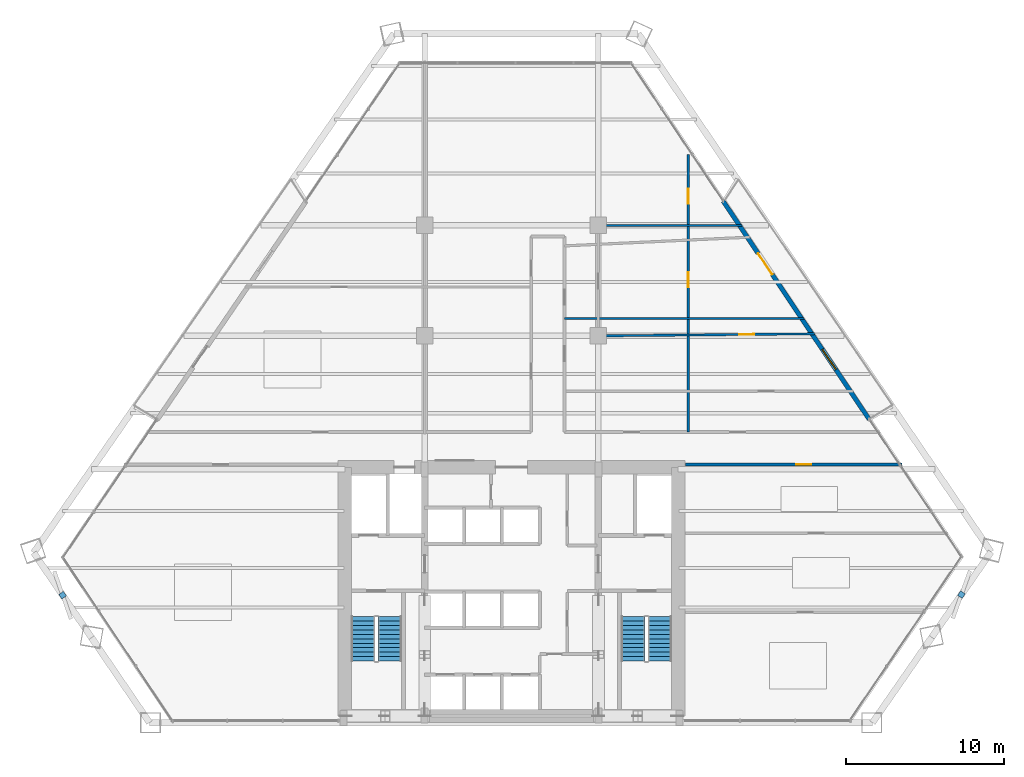
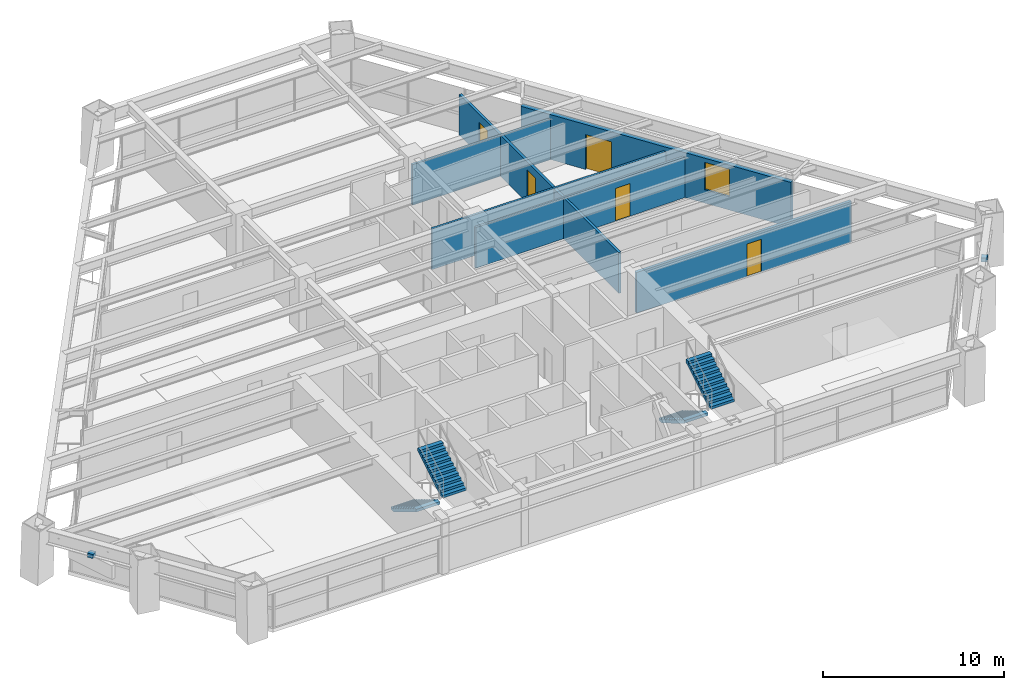
# One storey, part 12 of 14: 6 walls, 5 doors, 4 stair flights, 2 discrete accessories, 1 window, 6 openings, 2 elements without a shape of their own.
"""IFC4 building model written with IfcOpenShell, lengths in metres."""

import ifcopenshell
import ifcopenshell.guid

model = None  # the IFC model being written
_history = None  # IfcOwnerHistory: only IFC2X3 demands one
_inside = {}  # id of a spatial element -> (the spatial element, [elements in it])
_under = {}  # id of a project, library or spatial element -> (it, [spatial elements below it])
_declared = {}  # id of a project -> (the project, [libraries it declares])
_typed = {}  # id of a type object -> (the type object, [elements of that type])
_made_of = {}  # id of a material, layer set ... -> (it, [elements and type objects made of it])


def new_model(schema):
    """Start an empty IFC model of exactly this schema.

    Asked for "IFC4X3", IfcOpenShell would pick the latest addendum, in which some entities
    have other attributes; the version numbers below select the first issue.
    IFC2X3 requires an IfcOwnerHistory on every rooted entity: one is made here for all.
    """
    global model, _history
    if schema == "IFC4X3":
        model = ifcopenshell.file(schema_version=(4, 3, 0, 0))
    else:
        model = ifcopenshell.file(schema=schema)
    _inside.clear()
    _under.clear()
    _declared.clear()
    _typed.clear()
    _made_of.clear()
    _history = None
    if model.schema == "IFC2X3":
        org = make("IfcOrganization", Name="unknown")
        user = make(
            "IfcPersonAndOrganization",
            ThePerson=make("IfcPerson", FamilyName="unknown"),
            TheOrganization=org,
        )
        app = make(
            "IfcApplication",
            ApplicationDeveloper=org,
            Version="unknown",
            ApplicationFullName="unknown",
            ApplicationIdentifier="unknown",
        )
        _history = make(
            "IfcOwnerHistory",
            OwningUser=user,
            OwningApplication=app,
            ChangeAction="ADDED",
            CreationDate=0,
        )
    return model


def make(cls, **values):
    """One entity of the class cls with the attributes given. An attribute that is None is left unset."""
    return model.create_entity(
        cls, **{name: value for name, value in values.items() if value is not None}
    )


def rooted(cls, **values):
    """An entity with a GlobalId (a new one), such as an element, a storey or a relation."""
    return make(cls, GlobalId=ifcopenshell.guid.new(), OwnerHistory=_history, **values)


def si_unit(unit_type, name, prefix=None):
    """IfcSIUnit, for example si_unit("LENGTHUNIT", "METRE", prefix="MILLI")."""
    return make("IfcSIUnit", UnitType=unit_type, Prefix=prefix, Name=name)


def assignment(units):
    """IfcUnitAssignment: the units of a project."""
    return None if units is None else make("IfcUnitAssignment", Units=units)


def point(xyz):
    """IfcCartesianPoint."""
    return None if xyz is None else make("IfcCartesianPoint", Coordinates=xyz)


def direction(xyz):
    """IfcDirection."""
    return None if xyz is None else make("IfcDirection", DirectionRatios=xyz)


def frame(location, z_axis=None, x_axis=None):
    """IfcAxis2Placement3D, a coordinate frame: its origin and axes. An axis left out is left unset."""
    return make(
        "IfcAxis2Placement3D",
        Location=point(location),
        Axis=direction(z_axis),
        RefDirection=direction(x_axis),
    )


def frame_2d(location, x_axis=None):
    """IfcAxis2Placement2D, a coordinate frame in the plane: its origin and x axis."""
    return make(
        "IfcAxis2Placement2D", Location=point(location), RefDirection=direction(x_axis)
    )


def origin():
    """The frame at (0, 0, 0) with its axes left unset."""
    return frame((0.0, 0.0, 0.0))


def origin_2d():
    """The frame at (0, 0) in the plane with its x axis left unset."""
    return frame_2d((0.0, 0.0))


def place(relative_to, where):
    """IfcLocalPlacement: puts the frame where relative to a parent placement (None: the world)."""
    return make(
        "IfcLocalPlacement", PlacementRelTo=relative_to, RelativePlacement=where
    )


def context(
    kind, dimensions, precision=None, world=None, true_north=None, identifier=None
):
    """IfcGeometricRepresentationContext, for example the 3D "Model" context."""
    return make(
        "IfcGeometricRepresentationContext",
        ContextIdentifier=identifier,
        ContextType=kind,
        CoordinateSpaceDimension=dimensions,
        Precision=precision,
        WorldCoordinateSystem=world,
        TrueNorth=true_north,
    )


def subcontext(parent, identifier, kind, view, scale=None):
    """IfcGeometricRepresentationSubContext, for example "Body" below "Model"."""
    return make(
        "IfcGeometricRepresentationSubContext",
        ContextIdentifier=identifier,
        ContextType=kind,
        ParentContext=parent,
        TargetScale=scale,
        TargetView=view,
    )


def project(units=None, contexts=None):
    """IfcProject with its units and contexts."""
    return rooted(
        "IfcProject",
        Name="project",
        RepresentationContexts=contexts,
        UnitsInContext=assignment(units),
    )


def spatial(cls, under=None, at=None, **own):
    """A site, building, storey or space (cls), placed at a placement, below another one or the project."""
    s = rooted(cls, ObjectPlacement=at, **own)
    if under is not None:
        _under.setdefault(under.id(), (under, []))[1].append(s)
    return s


def polyline(points):
    """IfcPolyline through the points."""
    return make("IfcPolyline", Points=[point(p) for p in points])


def profile(cls, at=None, kind="AREA", **sizes):
    """A parametric profile (cls). Its sizes go by their IFC names, for example OverallWidth=200.0."""
    return make(cls, ProfileType=kind, Position=at, **sizes)


def rectangle(**sizes):
    """IfcRectangleProfileDef."""
    return profile("IfcRectangleProfileDef", **sizes)


def outline(outer, holes=None, kind="AREA"):
    """IfcArbitraryClosedProfileDef: a profile drawn as a closed curve; with holes, ...WithVoids."""
    if holes is None:
        return make("IfcArbitraryClosedProfileDef", ProfileType=kind, OuterCurve=outer)
    return make(
        "IfcArbitraryProfileDefWithVoids",
        ProfileType=kind,
        OuterCurve=outer,
        InnerCurves=holes,
    )


def extrude(swept, where, along, depth):
    """IfcExtrudedAreaSolid: the profile swept, set in the frame where, extruded along a direction by depth."""
    return make(
        "IfcExtrudedAreaSolid",
        SweptArea=swept,
        Position=where,
        ExtrudedDirection=direction(along),
        Depth=depth,
    )


def shape(context_of_items, identifier, shape_type, items):
    """IfcShapeRepresentation: the items that make up one representation, for example the "Body"."""
    return make(
        "IfcShapeRepresentation",
        ContextOfItems=context_of_items,
        RepresentationIdentifier=identifier,
        RepresentationType=shape_type,
        Items=items,
    )


def source(mapping_origin, context_of_items, identifier, shape_type, items):
    """IfcRepresentationMap: a shape defined once, which mapped items show again and again."""
    return make(
        "IfcRepresentationMap",
        MappingOrigin=mapping_origin,
        MappedRepresentation=shape(context_of_items, identifier, shape_type, items),
    )


def transform(
    local_origin,
    x_axis=None,
    y_axis=None,
    z_axis=None,
    scale=None,
    scale2=None,
    scale3=None,
    uniform=True,
):
    """IfcCartesianTransformationOperator3D, or its non-uniform kind. x_axis, y_axis, z_axis: its Axis1, 2, 3."""
    if uniform:
        return make(
            "IfcCartesianTransformationOperator3D",
            Axis1=direction(x_axis),
            Axis2=direction(y_axis),
            LocalOrigin=point(local_origin),
            Scale=scale,
            Axis3=direction(z_axis),
        )
    return make(
        "IfcCartesianTransformationOperator3DnonUniform",
        Axis1=direction(x_axis),
        Axis2=direction(y_axis),
        LocalOrigin=point(local_origin),
        Scale=scale,
        Axis3=direction(z_axis),
        Scale2=scale2,
        Scale3=scale3,
    )


def mapped(mapping_source, mapping_target):
    """IfcMappedItem: shows the shape of a source again, moved by a transform."""
    return make(
        "IfcMappedItem", MappingSource=mapping_source, MappingTarget=mapping_target
    )


def material(Name=None, Category=None):
    """IfcMaterial."""
    return make("IfcMaterial", Name=Name, Category=Category)


def layer(
    of_material, thickness, ventilated=None, Name=None, Category=None, Priority=None
):
    """IfcMaterialLayer: one layer of a wall or slab, of a material (None: an air gap)."""
    return make(
        "IfcMaterialLayer",
        Material=of_material,
        LayerThickness=thickness,
        IsVentilated=ventilated,
        Name=Name,
        Category=Category,
        Priority=Priority,
    )


def layer_set(layers, Name=None):
    """IfcMaterialLayerSet."""
    return make("IfcMaterialLayerSet", MaterialLayers=layers, LayerSetName=Name)


def made_of(thing, what):
    """Note that an element or type object is made of a material, layer set ...; save() writes the relation."""
    if what is not None:
        _made_of.setdefault(what.id(), (what, []))[1].append(thing)
    return thing


def type_object(cls, material=None, **own):
    """A type object (cls), such as IfcWallType, which elements share."""
    return made_of(rooted(cls, **own), material)


def type_shapes(of_type, sources):
    """Give a type object the sources (RepresentationMaps) that its elements show as mapped items."""
    of_type.RepresentationMaps = sources


def element(
    cls,
    number,
    at=None,
    inside=None,
    cuts=None,
    type_object=None,
    material=None,
    context=None,
    identifier="Body",
    shape_type=None,
    held_by="IfcProductDefinitionShape",
    body=None,
    shapes=None,
    **own,
):
    """One element of the class cls, such as IfcWall. Its Tag is "e" and its number.

    at: its placement. inside: the storey or other place that contains it. cuts: it is an
    opening in that element (IfcRelVoidsElement). A single representation is given by context,
    identifier, shape_type and body (its items); several are given by shapes. held_by: the class
    of the entity that holds the representations. save() writes the other relations.
    """
    e = rooted(cls, Tag="e%d" % number, ObjectPlacement=at, **own)
    if body is not None:
        shapes = [shape(context, identifier, shape_type, body)]
    if shapes is not None:
        e.Representation = make(held_by, Representations=shapes)
    if inside is not None:
        _inside.setdefault(inside.id(), (inside, []))[1].append(e)
    if cuts is not None:
        rooted(
            "IfcRelVoidsElement", RelatingBuildingElement=cuts, RelatedOpeningElement=e
        )
    if type_object is not None:
        _typed.setdefault(type_object.id(), (type_object, []))[1].append(e)
    return made_of(e, material)


def fill(opening, filler):
    """IfcRelFillsElement: the door or window that sits in an opening."""
    return rooted(
        "IfcRelFillsElement",
        RelatingOpeningElement=opening,
        RelatedBuildingElement=filler,
    )


def aggregate(whole, parts):
    """IfcRelAggregates: a whole, such as a stair, and the parts it consists of."""
    return rooted("IfcRelAggregates", RelatingObject=whole, RelatedObjects=parts)


def save(model, path):
    """Write the relations noted so far, then the file.

    IfcRelAggregates (storeys below a building ...), IfcRelContainedInSpatialStructure (elements
    in a storey), IfcRelDefinesByType, IfcRelAssociatesMaterial and IfcRelDeclares: one each for
    every whole, place, type object, material and project.
    """
    for whole, parts in _under.values():
        aggregate(whole, parts)
    for where, things in _inside.values():
        rooted(
            "IfcRelContainedInSpatialStructure",
            RelatedElements=things,
            RelatingStructure=where,
        )
    for kind, things in _typed.values():
        rooted("IfcRelDefinesByType", RelatedObjects=things, RelatingType=kind)
    for what, things in _made_of.values():
        rooted("IfcRelAssociatesMaterial", RelatedObjects=things, RelatingMaterial=what)
    for by, libraries in _declared.values():
        rooted("IfcRelDeclares", RelatingContext=by, RelatedDefinitions=libraries)
    model.write(path)


model = new_model("IFC4")

# Units and contexts
model_context = context("Model", 3, precision=1e-05, world=origin(), true_north=direction((0.0, 1.0)))
body_context = subcontext(model_context, "Body", "Model", "MODEL_VIEW")
ifc_project = project(units=[si_unit("LENGTHUNIT", "METRE"), si_unit("AREAUNIT", "SQUARE_METRE"), si_unit("VOLUMEUNIT", "CUBIC_METRE"), si_unit("PLANEANGLEUNIT", "RADIAN"), si_unit("MASSUNIT", "GRAM", prefix="KILO")], contexts=[model_context])

# Site, building, storey
site_placement = place(None, origin())
site = spatial("IfcSite", under=ifc_project, at=site_placement, CompositionType="ELEMENT")
building_placement = place(site_placement, origin())
building = spatial("IfcBuilding", under=site, at=building_placement, Name="Varnakhor Terracotta Tower", CompositionType="ELEMENT")
storey_placement = place(building_placement, frame((0.0, 0.0, 49.699951171875)))
storey = spatial("IfcBuildingStorey", under=building, at=storey_placement, Name="L11", CompositionType="ELEMENT", Elevation=49.699951171875)

# Wall, opening, door
ifc_material_1 = material(Name="Fire-Rated Gypsum Stud Partition", Category="gypsum")
ifc_layer_1 = layer(ifc_material_1, 0.18505859375, Name="Fire-Rated Gypsum Stud Partition")
ifc_layer_set_1 = layer_set([ifc_layer_1], Name="Fire-Rated Gypsum Stud Partition")
wall_type_1 = type_object("IfcWallType", Name="WAL-CORR-185", PredefinedType="PARTITIONING", material=ifc_layer_set_1)
wall_1_placement = place(storey_placement, frame((11.02001953125, 16.35009765625, 0.0), z_axis=(0.0, 0.0, 1.0), x_axis=(1.0, 0.0, 0.0)))
wall_1 = element("IfcWall", 1, at=wall_1_placement, inside=storey, type_object=wall_type_1, Name="L11 South East Corridor Wall", PredefinedType="PARTITIONING", context=body_context, shape_type="SweptSolid", body=[
    extrude(rectangle(XDim=13.707763671875, YDim=0.18505859375, at=frame_2d((6.85400390625, 0.0))), origin(), (0.0, 0.0, 1.0), 2.7470703125),
])
opening_1_placement = place(wall_1_placement, frame((7.0302734375, 0.0, 0.0)))
opening_1 = element("IfcOpeningElement", 2, at=opening_1_placement, cuts=wall_1, Name="Opening DR-94", PredefinedType="OPENING", context=body_context, shape_type="SweptSolid", body=[
    extrude(rectangle(XDim=0.949951171875, YDim=2.199951171875, at=frame_2d((0.47509765625, 1.10009765625))), frame((0.0, 0.1025390625, 0.0), z_axis=(0.0, -1.0, 0.0), x_axis=(1.0, 0.0, 0.0)), (0.0, 0.0, 1.0), 0.205078125),
])
ifc_material_2 = material(Name="Acoustic Glazed-Vision Timber Office Door", Category="wood")
door_type_1 = type_object("IfcDoorType", Name="DR-OFF-950X2200", OperationType="NOTDEFINED", PredefinedType="DOOR", material=ifc_material_2)
shared_shape_1 = source(origin(), body_context, "Body", "SweptSolid", [
    extrude(rectangle(XDim=0.949951171875, YDim=2.199951171875, at=frame_2d((0.47509765625, 1.10009765625))), frame((0.0, 0.02490234375, 0.0), z_axis=(0.0, -1.0, 0.0), x_axis=(1.0, 0.0, 0.0)), (0.0, 0.0, 1.0), 0.050048828125),
])
type_shapes(door_type_1, [shared_shape_1])
door_1_placement = place(opening_1_placement, origin())
door_1 = element("IfcDoor", 3, at=door_1_placement, inside=storey, type_object=door_type_1, Name="L11 SE Suite Door", OperationType="SINGLE_SWING_LEFT", OverallHeight=2.199951171875, OverallWidth=0.949951171875, PredefinedType="DOOR", context=body_context, shape_type="MappedRepresentation", body=[
    mapped(shared_shape_1, transform((0.0, 0.0, 0.0), scale=1.0)),
])
fill(opening_1, door_1)

# Wall, openings, door, window
ifc_material_3 = material(Name="Extruded Architectural Terracotta Assembly", Category="masonry")
ifc_layer_2 = layer(ifc_material_3, 0.280029296875, Name="Extruded Architectural Terracotta Assembly")
ifc_layer_set_2 = layer_set([ifc_layer_2], Name="Extruded Architectural Terracotta Assembly")
wall_type_2 = type_object("IfcWallType", Name="WAL-EXT-TERRACOTTA-280", PredefinedType="SOLIDWALL", material=ifc_layer_set_2)
wall_2_placement = place(storey_placement, frame((13.40380859375, 33.041015625, 0.0), z_axis=(0.0, 0.0, 1.0), x_axis=(0.556075632993, -0.831131692569, 0.0)))
wall_2 = element("IfcWall", 4, at=wall_2_placement, inside=storey, type_object=wall_type_2, Name="L11 E Loggia Insulated Terracotta Wall", PredefinedType="SOLIDWALL", context=body_context, shape_type="SweptSolid", body=[
    extrude(rectangle(XDim=16.621337890625, YDim=0.280029296875, at=frame_2d((8.310546875, 0.0))), origin(), (0.0, 0.0, 1.0), 3.030029296875),
])
opening_2_placement = place(wall_2_placement, frame((3.989013671875, 0.0, 0.0)))
opening_2 = element("IfcOpeningElement", 5, at=opening_2_placement, cuts=wall_2, Name="Opening DR-62", PredefinedType="OPENING", context=body_context, shape_type="SweptSolid", body=[
    extrude(rectangle(XDim=1.60009765625, YDim=2.35009765625, at=frame_2d((0.800048828125, 1.175048828125))), frame((0.0, 0.14990234375, 0.0), z_axis=(0.0, -1.0, 0.0), x_axis=(1.0, 0.0, 0.0)), (0.0, 0.0, 1.0), 0.300048828125),
])
opening_3_placement = place(wall_2_placement, frame((11.302490234375, 0.0, 0.89990234375)))
opening_3 = element("IfcOpeningElement", 6, at=opening_3_placement, cuts=wall_2, Name="Opening WN-57", PredefinedType="OPENING", context=body_context, shape_type="SweptSolid", body=[
    extrude(rectangle(XDim=1.550048828125, YDim=1.85009765625, at=frame_2d((0.77490234375, 0.925048828125))), frame((0.0, 0.14990234375, 0.0), z_axis=(0.0, -1.0, 0.0), x_axis=(1.0, 0.0, 0.0)), (0.0, 0.0, 1.0), 0.300048828125),
])
ifc_material_4 = material(Name="Thermally Broken Sliding Glass Loggia Door", Category="glass")
door_type_2 = type_object("IfcDoorType", Name="DR-EXT-LOGGIA-1600X2350", OperationType="NOTDEFINED", PredefinedType="DOOR", material=ifc_material_4)
shared_shape_2 = source(origin(), body_context, "Body", "SweptSolid", [
    extrude(rectangle(XDim=1.60009765625, YDim=2.35009765625, at=frame_2d((0.800048828125, 1.175048828125))), frame((0.0, 0.02490234375, 0.0), z_axis=(0.0, -1.0, 0.0), x_axis=(1.0, 0.0, 0.0)), (0.0, 0.0, 1.0), 0.050048828125),
])
type_shapes(door_type_2, [shared_shape_2])
door_2_placement = place(opening_2_placement, origin())
door_2 = element("IfcDoor", 7, at=door_2_placement, inside=storey, type_object=door_type_2, Name="L11 E Recessed Loggia Sliding Door", OperationType="SLIDING_TO_RIGHT", OverallHeight=2.35009765625, OverallWidth=1.60009765625, PredefinedType="DOOR", context=body_context, shape_type="MappedRepresentation", body=[
    mapped(shared_shape_2, transform((0.0, 0.0, 0.0), scale=1.0)),
])
fill(opening_2, door_2)
ifc_material_5 = material(Name="Solar-Control Low-E Insulated Glass Unit", Category="glass")
window_type = type_object("IfcWindowType", Name="WIN-OFF-1650X2100", PartitioningType="SINGLE_PANEL", PredefinedType="WINDOW", material=ifc_material_5)
shared_shape_3 = source(origin(), body_context, "Body", "SweptSolid", [
    extrude(rectangle(XDim=1.550048828125, YDim=1.85009765625, at=frame_2d((0.77490234375, 0.925048828125))), frame((0.0, 0.030029296875, 0.0), z_axis=(0.0, -1.0, 0.0), x_axis=(1.0, 0.0, 0.0)), (0.0, 0.0, 1.0), 0.06005859375),
])
type_shapes(window_type, [shared_shape_3])
window_placement = place(opening_3_placement, origin())
window = element("IfcWindow", 8, at=window_placement, inside=storey, type_object=window_type, Name="L11 E Facet Punched Window", OverallHeight=1.85009765625, OverallWidth=1.550048828125, PartitioningType="SINGLE_PANEL", PredefinedType="WINDOW", context=body_context, shape_type="MappedRepresentation", body=[
    mapped(shared_shape_3, transform((0.0, 0.0, 0.0), scale=1.0)),
])
fill(opening_3, window)

# Wall, opening, door
ifc_material_6 = material(Name="Acoustic Metal-Stud Partition", Category="gypsum")
ifc_layer_3 = layer(ifc_material_6, 0.139892578125, Name="Acoustic Metal-Stud Partition")
ifc_layer_set_3 = layer_set([ifc_layer_3], Name="Acoustic Metal-Stud Partition")
wall_type_3 = type_object("IfcWallType", Name="WAL-PART-140", PredefinedType="PARTITIONING", material=ifc_layer_set_3)
wall_3_placement = place(storey_placement, frame((5.5, 24.5, 0.0), z_axis=(0.0, 0.0, 1.0), x_axis=(0.999952217235, 0.009775645617, 0.0)))
wall_3 = element("IfcWall", 9, at=wall_3_placement, inside=storey, type_object=wall_type_3, Name="L11 East Y24.5 Column Wall", PredefinedType="PARTITIONING", context=body_context, shape_type="SweptSolid", body=[
    extrude(rectangle(XDim=13.68603515625, YDim=0.139892578125, at=frame_2d((6.843017578125, 0.0))), origin(), (0.0, 0.0, 1.0), 2.7470703125),
])
opening_4_placement = place(wall_3_placement, frame((8.94189453125, 0.0, 0.0)))
opening_4 = element("IfcOpeningElement", 10, at=opening_4_placement, cuts=wall_3, Name="Opening DR-94", PredefinedType="OPENING", context=body_context, shape_type="SweptSolid", body=[
    extrude(rectangle(XDim=0.949951171875, YDim=2.199951171875, at=frame_2d((0.47509765625, 1.10009765625))), frame((0.0, 0.080078125, 0.0), z_axis=(0.0, -1.0, 0.0), x_axis=(1.0, 0.0, 0.0)), (0.0, 0.0, 1.0), 0.159912109375),
])
door_3_placement = place(opening_4_placement, origin())
door_3 = element("IfcDoor", 11, at=door_3_placement, inside=storey, type_object=door_type_1, Name="L11 BIM Lab Suite Door", OperationType="SINGLE_SWING_RIGHT", OverallHeight=2.199951171875, OverallWidth=0.949951171875, PredefinedType="DOOR", context=body_context, shape_type="MappedRepresentation", body=[
    mapped(shared_shape_1, transform((0.0, 0.0, 0.0), scale=1.0)),
])
fill(opening_4, door_3)

# Walls
wall_4_placement = place(storey_placement, frame((5.5, 31.5, 0.0), z_axis=(0.0, 0.0, 1.0), x_axis=(1.0, 0.0, 0.0)))
element("IfcWall", 12, at=wall_4_placement, inside=storey, type_object=wall_type_3, Name="L11 East Y31.5 Column Wall", PredefinedType="PARTITIONING", context=body_context, shape_type="SweptSolid", body=[
    extrude(rectangle(XDim=9.091064453125, YDim=0.139892578125, at=frame_2d((4.54541015625, 0.0))), origin(), (0.0, 0.0, 1.0), 2.7470703125),
])
wall_5_placement = place(storey_placement, frame((3.35009765625, 25.60009765625, 0.0), z_axis=(0.0, 0.0, 1.0), x_axis=(1.0, 0.0, 0.0)))
element("IfcWall", 13, at=wall_5_placement, inside=storey, type_object=wall_type_3, Name="L11 East Wing Cut 2", PredefinedType="PARTITIONING", context=body_context, shape_type="SweptSolid", body=[
    extrude(rectangle(XDim=15.188720703125, YDim=0.139892578125, at=frame_2d((7.59423828125, 0.0))), origin(), (0.0, 0.0, 1.0), 2.7470703125),
])

# Wall, openings, doors
ifc_material_7 = material(Name="Acoustic Fire-Rated Partition", Category="gypsum")
ifc_layer_4 = layer(ifc_material_7, 0.1650390625, Name="Acoustic Fire-Rated Partition")
ifc_layer_set_4 = layer_set([ifc_layer_4], Name="Acoustic Fire-Rated Partition")
wall_type_4 = type_object("IfcWallType", Name="WAL-TENANCY-165", PredefinedType="PARTITIONING", material=ifc_layer_set_4)
wall_6_placement = place(storey_placement, frame((11.199951171875, 18.39990234375, 0.0), z_axis=(0.0, 0.0, 1.0), x_axis=(0.0, 1.0, 0.0)))
wall_6 = element("IfcWall", 14, at=wall_6_placement, inside=storey, type_object=wall_type_4, Name="L11 East Cellular Line", PredefinedType="PARTITIONING", context=body_context, shape_type="SweptSolid", body=[
    extrude(rectangle(XDim=17.60009765625, YDim=0.1650390625, at=frame_2d((8.800048828125, 0.0))), origin(), (0.0, 0.0, 1.0), 2.7470703125),
])
opening_5_placement = place(wall_6_placement, frame((9.173828125, 0.0, 0.0)))
opening_5 = element("IfcOpeningElement", 15, at=opening_5_placement, cuts=wall_6, Name="Opening DR-94", PredefinedType="OPENING", context=body_context, shape_type="SweptSolid", body=[
    extrude(rectangle(XDim=0.949951171875, YDim=2.199951171875, at=frame_2d((0.47509765625, 1.10009765625))), frame((0.0, 0.092529296875, 0.0), z_axis=(0.0, -1.0, 0.0), x_axis=(1.0, 0.0, 0.0)), (0.0, 0.0, 1.0), 0.18505859375),
])
opening_6_placement = place(wall_6_placement, frame((14.478515625, 0.0, 0.0)))
opening_6 = element("IfcOpeningElement", 16, at=opening_6_placement, cuts=wall_6, Name="Opening DR-94", PredefinedType="OPENING", context=body_context, shape_type="SweptSolid", body=[
    extrude(rectangle(XDim=0.949951171875, YDim=2.199951171875, at=frame_2d((0.47509765625, 1.10009765625))), frame((0.0, 0.092529296875, 0.0), z_axis=(0.0, -1.0, 0.0), x_axis=(1.0, 0.0, 0.0)), (0.0, 0.0, 1.0), 0.18505859375),
])
door_4_placement = place(opening_5_placement, origin())
door_4 = element("IfcDoor", 17, at=door_4_placement, inside=storey, type_object=door_type_1, Name="L11 Espresso Pantry B13 Door", OperationType="SINGLE_SWING_LEFT", OverallHeight=2.199951171875, OverallWidth=0.949951171875, PredefinedType="DOOR", context=body_context, shape_type="MappedRepresentation", body=[
    mapped(shared_shape_1, transform((0.0, 0.0, 0.0), scale=1.0)),
])
fill(opening_5, door_4)
door_5_placement = place(opening_6_placement, origin())
door_5 = element("IfcDoor", 18, at=door_5_placement, inside=storey, type_object=door_type_1, Name="L11 Wellness Quiet Room Door", OperationType="SINGLE_SWING_RIGHT", OverallHeight=2.199951171875, OverallWidth=0.949951171875, PredefinedType="DOOR", context=body_context, shape_type="MappedRepresentation", body=[
    mapped(shared_shape_1, transform((0.0, 0.0, 0.0), scale=1.0)),
])
fill(opening_6, door_5)

# Stair, stair flights
ifc_material_8 = material(Name="Concrete C40/50", Category="concrete")
stair_type = type_object("IfcStairType", Name="STR-CORE-OFFICE-1500", PredefinedType="HALF_TURN_STAIR", material=ifc_material_8)
stair_1_placement = place(storey_placement, origin())
stair_1 = element("IfcStair", 19, at=stair_1_placement, inside=storey, type_object=stair_type, Name="L11 Core Exit Stair ST-1", PredefinedType="HALF_TURN_STAIR")
stair_flight_type = type_object("IfcStairFlightType", Name="FLT-CORE-1500", PredefinedType="STRAIGHT", material=ifc_material_8)
stair_flight_1_placement = place(storey_placement, frame((-9.39990234375, 6.7099609375, 0.0), z_axis=(0.0, 0.0, 1.0), x_axis=(0.0, -1.0, 0.0)))
stair_flight_1 = element("IfcStairFlight", 20, at=stair_flight_1_placement, type_object=stair_flight_type, Name="ST-1 flight 1", NumberOfRisers=11, NumberOfTreads=10, PredefinedType="STRAIGHT", RiserHeight=0.168181818, TreadLength=0.28, context=body_context, shape_type="SweptSolid", body=[
    extrude(outline(polyline([(0.0, 0.0), (0.0, 0.168212890625), (0.280029296875, 0.168212890625), (0.280029296875, 0.33642578125), (0.56005859375, 0.33642578125), (0.56005859375, 0.504638671875), (0.840087890625, 0.504638671875), (0.840087890625, 0.672607421875), (1.1201171875, 0.672607421875), (1.1201171875, 0.8408203125), (1.39990234375, 0.8408203125), (1.39990234375, 1.009033203125), (1.679931640625, 1.009033203125), (1.679931640625, 1.17724609375), (1.9599609375, 1.17724609375), (1.9599609375, 1.345458984375), (2.239990234375, 1.345458984375), (2.239990234375, 1.513671875), (2.52001953125, 1.513671875), (2.52001953125, 1.681884765625), (2.800048828125, 1.681884765625), (2.800048828125, 1.85009765625), (2.800048828125, 1.495361328125), (0.310546875, 0.0), (0.0, 0.0)])), frame((0.0, 0.75, 0.0), z_axis=(0.0, -1.0, 0.0), x_axis=(1.0, 0.0, 0.0)), (0.0, 0.0, 1.0), 1.5),
])
stair_flight_2_placement = place(storey_placement, frame((-7.699951171875, 3.909912109375, 1.85009765625), z_axis=(0.0, 0.0, 1.0), x_axis=(0.0, 1.0, 0.0)))
stair_flight_2 = element("IfcStairFlight", 21, at=stair_flight_2_placement, type_object=stair_flight_type, Name="ST-1 flight 2", NumberOfRisers=11, NumberOfTreads=10, PredefinedType="STRAIGHT", RiserHeight=0.168181818, TreadLength=0.28, context=body_context, shape_type="SweptSolid", body=[
    extrude(outline(polyline([(0.0, 0.0), (0.0, 0.168212890625), (0.280029296875, 0.168212890625), (0.280029296875, 0.33642578125), (0.56005859375, 0.33642578125), (0.56005859375, 0.504638671875), (0.840087890625, 0.504638671875), (0.840087890625, 0.672607421875), (1.1201171875, 0.672607421875), (1.1201171875, 0.8408203125), (1.39990234375, 0.8408203125), (1.39990234375, 1.009033203125), (1.679931640625, 1.009033203125), (1.679931640625, 1.17724609375), (1.9599609375, 1.17724609375), (1.9599609375, 1.345458984375), (2.239990234375, 1.345458984375), (2.239990234375, 1.513671875), (2.52001953125, 1.513671875), (2.52001953125, 1.681884765625), (2.800048828125, 1.681884765625), (2.800048828125, 1.85009765625), (2.800048828125, 1.495361328125), (0.310546875, 0.0), (0.0, 0.0)])), frame((0.0, 0.75, 0.0), z_axis=(0.0, -1.0, 0.0), x_axis=(1.0, 0.0, 0.0)), (0.0, 0.0, 1.0), 1.5),
])
aggregate(stair_1, [stair_flight_1, stair_flight_2])

stair_2_placement = place(storey_placement, origin())
stair_2 = element("IfcStair", 22, at=stair_2_placement, inside=storey, type_object=stair_type, Name="L11 Core Exit Stair ST-2", PredefinedType="HALF_TURN_STAIR")
stair_flight_3_placement = place(storey_placement, frame((7.699951171875, 6.7099609375, 0.0), z_axis=(0.0, 0.0, 1.0), x_axis=(0.0, -1.0, 0.0)))
stair_flight_3 = element("IfcStairFlight", 23, at=stair_flight_3_placement, type_object=stair_flight_type, Name="ST-2 flight 1", NumberOfRisers=11, NumberOfTreads=10, PredefinedType="STRAIGHT", RiserHeight=0.168181818, TreadLength=0.28, context=body_context, shape_type="SweptSolid", body=[
    extrude(outline(polyline([(0.0, 0.0), (0.0, 0.168212890625), (0.280029296875, 0.168212890625), (0.280029296875, 0.33642578125), (0.56005859375, 0.33642578125), (0.56005859375, 0.504638671875), (0.840087890625, 0.504638671875), (0.840087890625, 0.672607421875), (1.1201171875, 0.672607421875), (1.1201171875, 0.8408203125), (1.39990234375, 0.8408203125), (1.39990234375, 1.009033203125), (1.679931640625, 1.009033203125), (1.679931640625, 1.17724609375), (1.9599609375, 1.17724609375), (1.9599609375, 1.345458984375), (2.239990234375, 1.345458984375), (2.239990234375, 1.513671875), (2.52001953125, 1.513671875), (2.52001953125, 1.681884765625), (2.800048828125, 1.681884765625), (2.800048828125, 1.85009765625), (2.800048828125, 1.495361328125), (0.310546875, 0.0), (0.0, 0.0)])), frame((0.0, 0.75, 0.0), z_axis=(0.0, -1.0, 0.0), x_axis=(1.0, 0.0, 0.0)), (0.0, 0.0, 1.0), 1.5),
])
stair_flight_4_placement = place(storey_placement, frame((9.39990234375, 3.909912109375, 1.85009765625), z_axis=(0.0, 0.0, 1.0), x_axis=(0.0, 1.0, 0.0)))
stair_flight_4 = element("IfcStairFlight", 24, at=stair_flight_4_placement, type_object=stair_flight_type, Name="ST-2 flight 2", NumberOfRisers=11, NumberOfTreads=10, PredefinedType="STRAIGHT", RiserHeight=0.168181818, TreadLength=0.28, context=body_context, shape_type="SweptSolid", body=[
    extrude(outline(polyline([(0.0, 0.0), (0.0, 0.168212890625), (0.280029296875, 0.168212890625), (0.280029296875, 0.33642578125), (0.56005859375, 0.33642578125), (0.56005859375, 0.504638671875), (0.840087890625, 0.504638671875), (0.840087890625, 0.672607421875), (1.1201171875, 0.672607421875), (1.1201171875, 0.8408203125), (1.39990234375, 0.8408203125), (1.39990234375, 1.009033203125), (1.679931640625, 1.009033203125), (1.679931640625, 1.17724609375), (1.9599609375, 1.17724609375), (1.9599609375, 1.345458984375), (2.239990234375, 1.345458984375), (2.239990234375, 1.513671875), (2.52001953125, 1.513671875), (2.52001953125, 1.681884765625), (2.800048828125, 1.681884765625), (2.800048828125, 1.85009765625), (2.800048828125, 1.495361328125), (0.310546875, 0.0), (0.0, 0.0)])), frame((0.0, 0.75, 0.0), z_axis=(0.0, -1.0, 0.0), x_axis=(1.0, 0.0, 0.0)), (0.0, 0.0, 1.0), 1.5),
])
aggregate(stair_2, [stair_flight_3, stair_flight_4])

# Discrete accessories
ifc_material_9 = material(Name="Stainless Steel Fixing Bracket", Category="steel")
discrete_accessory_type = type_object("IfcDiscreteAccessoryType", Name="BRACKET-TERRACOTTA-SCREEN", PredefinedType="BRACKET", material=ifc_material_9)
shared_shape_4 = source(origin(), body_context, "Body", "SweptSolid", [
    extrude(rectangle(XDim=0.35009765625, YDim=0.35009765625, at=origin_2d()), origin(), (0.0, 0.0, 1.0), 0.280029296875),
])
type_shapes(discrete_accessory_type, [shared_shape_4])
for number, where, z_axis, x_axis, name in (
    (25, (28.498291015625, 8.11376953125, 2.39306640625), (0.0, 0.0, 1.0), (0.570269199694, 0.821457874684, 0.0), "L11 E Screen Fixing Bracket"),
    (26, (-28.4326171875, 8.0771484375, 2.39306640625), (0.0, 0.0, 1.0), (0.562833780778, -0.826570103026, 0.0), "L11 W Screen Fixing Bracket"),
):
    element("IfcDiscreteAccessory", number, at=place(storey_placement, frame(where, z_axis=z_axis, x_axis=x_axis)), inside=storey, type_object=discrete_accessory_type, Name=name, PredefinedType="BRACKET", context=body_context, shape_type="MappedRepresentation", body=[
        mapped(shared_shape_4, transform((0.0, 0.0, 0.0), scale=1.0)),
    ])

save(model, "model.ifc")
